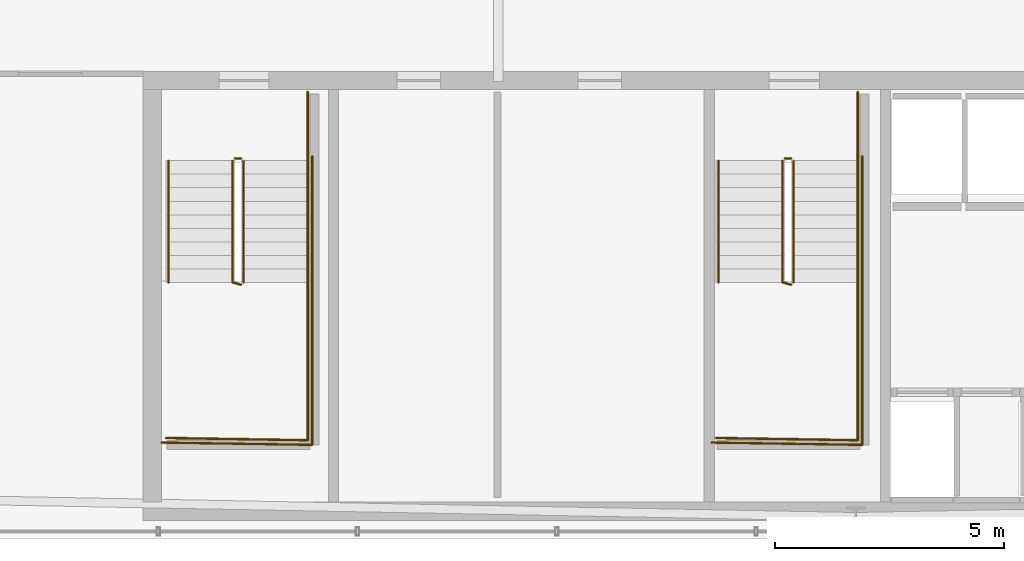
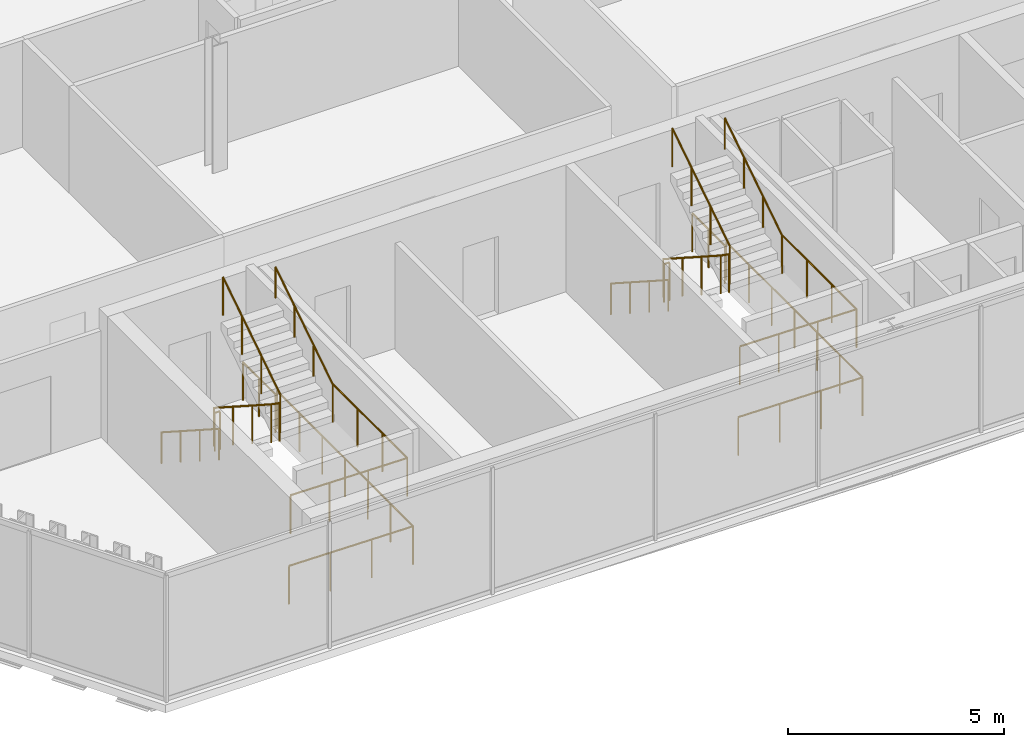
# One storey, part 27 of 29: 16 railings.
"""IFC4 building model written with IfcOpenShell, lengths in metres."""

from ifc_helpers import new_model, si_unit, direction, frame, origin, origin_2d, place, context, subcontext, project, spatial, circle, extrude, material, layer, layer_set, type_object, element, save


model = new_model("IFC4")

# Units and contexts
model_context = context("Model", 3, precision=1e-05, world=origin(), true_north=direction((0.0, 1.0)))
body_context = subcontext(model_context, "Body", "Model", "MODEL_VIEW")
ifc_project = project(units=[si_unit("LENGTHUNIT", "METRE"), si_unit("AREAUNIT", "SQUARE_METRE"), si_unit("VOLUMEUNIT", "CUBIC_METRE"), si_unit("PLANEANGLEUNIT", "RADIAN"), si_unit("MASSUNIT", "GRAM", prefix="KILO")], contexts=[model_context])

# Site, building, storey
site_placement = place(None, origin())
site = spatial("IfcSite", under=ifc_project, at=site_placement, CompositionType="ELEMENT")
building_placement = place(site_placement, origin())
building = spatial("IfcBuilding", under=site, at=building_placement, Name="Ndaravel Arena Tower", CompositionType="ELEMENT")
storey_placement = place(building_placement, frame((0.0, 0.0, 229.39990234375)))
storey = spatial("IfcBuildingStorey", under=building, at=storey_placement, Name="L55", CompositionType="ELEMENT", Elevation=229.39990234375)

# Railings
ifc_material_1 = material(Name="Steel S355", Category="steel")
ifc_layer_1 = layer(ifc_material_1, 0.06005859375)
ifc_layer_set_1 = layer_set([ifc_layer_1], Name="Steel S355")
railing_type_1 = type_object("IfcRailingType", Name="RAIL-STAIR-GD1100", PredefinedType="GUARDRAIL", material=ifc_layer_set_1)
railing_1_placement = place(storey_placement, frame((28.39990234375, 13.25, 0.190185546875)))
element("IfcRailing", 1, at=railing_1_placement, inside=storey, type_object=railing_type_1, Name="L55 ST-1 stair guard 1", PredefinedType="GUARDRAIL", context=body_context, shape_type="SweptSolid", body=[
    extrude(circle(Radius=0.02392578125, at=origin_2d()), frame((0.0, 0.0, 1.076171875), z_axis=(0.0, -0.840723540582, 0.54146461409), x_axis=(1.0, 0.0, 0.0)), (0.0, 0.0, 1.0), 3.157958984375),
    extrude(circle(Radius=0.02392578125, at=origin_2d()), frame((0.0, -2.655029296875, 2.7861328125), z_axis=(0.967074537263, -0.25449329928, 0.0), x_axis=(0.25449329928, 0.967074537263, 0.0)), (0.0, 0.0, 1.0), 0.19677734375),
    extrude(circle(Radius=0.02099609375, at=origin_2d()), origin(), (0.0, 0.0, 1.0), 1.052001953125),
    extrude(circle(Radius=0.02099609375, at=origin_2d()), frame((0.0, -0.885009765625, 0.570068359375)), (0.0, 0.0, 1.0), 1.052001953125),
    extrude(circle(Radius=0.02099609375, at=origin_2d()), frame((0.0, -1.77001953125, 1.139892578125)), (0.0, 0.0, 1.0), 1.052001953125),
    extrude(circle(Radius=0.02099609375, at=origin_2d()), frame((0.0, -2.655029296875, 1.7099609375)), (0.0, 0.0, 1.0), 1.052001953125),
    extrude(circle(Radius=0.02099609375, at=origin_2d()), frame((0.190185546875, -2.705078125, 1.7099609375)), (0.0, 0.0, 1.0), 1.052001953125),
])
railing_2_placement = place(storey_placement, frame((30.0400390625, 10.594970703125, 1.900146484375)))
element("IfcRailing", 2, at=railing_2_placement, inside=storey, type_object=railing_type_1, Name="L55 ST-1 stair guard 2", PredefinedType="GUARDRAIL", context=body_context, shape_type="SweptSolid", body=[
    extrude(circle(Radius=0.02392578125, at=origin_2d()), frame((0.0, 0.0, 1.076171875), z_axis=(0.0, -1.0, 0.0), x_axis=(1.0, 0.0, 0.0)), (0.0, 0.0, 1.0), 3.445068359375),
    extrude(circle(Radius=0.02392578125, at=origin_2d()), frame((0.0, -3.445068359375, 1.076171875), z_axis=(-0.999868861343, 0.016194447071, 0.0), x_axis=(-0.016194447071, -0.999868861343, 0.0)), (0.0, 0.0, 1.0), 3.090576171875),
    extrude(circle(Radius=0.02099609375, at=origin_2d()), origin(), (0.0, 0.0, 1.0), 1.052001953125),
    extrude(circle(Radius=0.02099609375, at=origin_2d()), frame((0.0, -1.1484375, 0.0)), (0.0, 0.0, 1.0), 1.052001953125),
    extrude(circle(Radius=0.02099609375, at=origin_2d()), frame((0.0, -2.296630859375, 0.0)), (0.0, 0.0, 1.0), 1.052001953125),
    extrude(circle(Radius=0.02099609375, at=origin_2d()), frame((0.0, -3.445068359375, 0.0)), (0.0, 0.0, 1.0), 1.052001953125),
    extrude(circle(Radius=0.02099609375, at=origin_2d()), frame((-1.030029296875, -3.428466796875, 0.0)), (0.0, 0.0, 1.0), 1.052001953125),
    extrude(circle(Radius=0.02099609375, at=origin_2d()), frame((-2.06005859375, -3.41162109375, 0.0)), (0.0, 0.0, 1.0), 1.052001953125),
    extrude(circle(Radius=0.02099609375, at=origin_2d()), frame((-3.090087890625, -3.39501953125, 0.0)), (0.0, 0.0, 1.0), 1.052001953125),
])
railing_3_placement = place(storey_placement, frame((28.639892578125, 10.594970703125, 2.090087890625)))
element("IfcRailing", 3, at=railing_3_placement, inside=storey, type_object=railing_type_1, Name="L55 ST-1 stair guard 3", PredefinedType="GUARDRAIL", context=body_context, shape_type="SweptSolid", body=[
    extrude(circle(Radius=0.02392578125, at=origin_2d()), frame((0.0, 0.0, 1.076171875), z_axis=(0.0, 0.840723540582, 0.54146461409), x_axis=(-1.0, 0.0, 0.0)), (0.0, 0.0, 1.0), 3.157958984375),
    extrude(circle(Radius=0.02099609375, at=origin_2d()), origin(), (0.0, 0.0, 1.0), 1.052001953125),
    extrude(circle(Radius=0.02099609375, at=origin_2d()), frame((0.0, 0.885009765625, 0.570068359375)), (0.0, 0.0, 1.0), 1.052001953125),
    extrude(circle(Radius=0.02099609375, at=origin_2d()), frame((0.0, 1.77001953125, 1.139892578125)), (0.0, 0.0, 1.0), 1.052001953125),
    extrude(circle(Radius=0.02099609375, at=origin_2d()), frame((0.0, 2.655029296875, 1.7099609375)), (0.0, 0.0, 1.0), 1.052001953125),
])
railing_4_placement = place(storey_placement, frame((28.449951171875, 13.300048828125, 0.0)))
element("IfcRailing", 4, at=railing_4_placement, inside=storey, type_object=railing_type_1, Name="L55 ST-1 stair guard 4", PredefinedType="GUARDRAIL", context=body_context, shape_type="SweptSolid", body=[
    extrude(circle(Radius=0.02392578125, at=origin_2d()), frame((0.0, 0.0, 1.076171875), z_axis=(1.0, 0.0, 0.0), x_axis=(0.0, 1.0, 0.0)), (0.0, 0.0, 1.0), 0.14013671875),
    extrude(circle(Radius=0.02099609375, at=origin_2d()), origin(), (0.0, 0.0, 1.0), 1.052001953125),
    extrude(circle(Radius=0.02099609375, at=origin_2d()), frame((0.14013671875, 0.0, 0.0)), (0.0, 0.0, 1.0), 1.052001953125),
])
railing_5_placement = place(storey_placement, frame((30.0400390625, 14.75, 0.0)))
element("IfcRailing", 5, at=railing_5_placement, inside=storey, type_object=railing_type_1, Name="L55 ST-1 stair guard 5", PredefinedType="GUARDRAIL", context=body_context, shape_type="SweptSolid", body=[
    extrude(circle(Radius=0.02392578125, at=origin_2d()), frame((0.0, 0.0, 1.076171875), z_axis=(0.0, -1.0, 0.0), x_axis=(1.0, 0.0, 0.0)), (0.0, 0.0, 1.0), 1.5),
    extrude(circle(Radius=0.02099609375, at=origin_2d()), origin(), (0.0, 0.0, 1.0), 1.052001953125),
    extrude(circle(Radius=0.02099609375, at=origin_2d()), frame((0.0, -0.75, 0.0)), (0.0, 0.0, 1.0), 1.052001953125),
    extrude(circle(Radius=0.02099609375, at=origin_2d()), frame((0.0, -1.5, 0.0)), (0.0, 0.0, 1.0), 1.052001953125),
])
railing_6_placement = place(storey_placement, frame((30.139892578125, 13.35009765625, 0.0)))
element("IfcRailing", 6, at=railing_6_placement, inside=storey, type_object=railing_type_1, Name="L55 ST-1 stair guard 6", PredefinedType="GUARDRAIL", context=body_context, shape_type="SweptSolid", body=[
    extrude(circle(Radius=0.02392578125, at=origin_2d()), frame((0.0, 0.0, 1.076171875), z_axis=(0.0, -1.0, 0.0), x_axis=(1.0, 0.0, 0.0)), (0.0, 0.0, 1.0), 6.300048828125),
    extrude(circle(Radius=0.02392578125, at=origin_2d()), frame((0.0, -6.300048828125, 1.076171875), z_axis=(-0.999884296952, 0.015211597839, 0.0), x_axis=(-0.015211597839, -0.999884296952, 0.0)), (0.0, 0.0, 1.0), 3.290283203125),
    extrude(circle(Radius=0.02099609375, at=origin_2d()), origin(), (0.0, 0.0, 1.0), 1.052001953125),
    extrude(circle(Radius=0.02099609375, at=origin_2d()), frame((0.0, -1.050048828125, 0.0)), (0.0, 0.0, 1.0), 1.052001953125),
    extrude(circle(Radius=0.02099609375, at=origin_2d()), frame((0.0, -2.10009765625, 0.0)), (0.0, 0.0, 1.0), 1.052001953125),
    extrude(circle(Radius=0.02099609375, at=origin_2d()), frame((0.0, -3.14990234375, 0.0)), (0.0, 0.0, 1.0), 1.052001953125),
    extrude(circle(Radius=0.02099609375, at=origin_2d()), frame((0.0, -4.199951171875, 0.0)), (0.0, 0.0, 1.0), 1.052001953125),
    extrude(circle(Radius=0.02099609375, at=origin_2d()), frame((0.0, -5.25, 0.0)), (0.0, 0.0, 1.0), 1.052001953125),
    extrude(circle(Radius=0.02099609375, at=origin_2d()), frame((0.0, -6.300048828125, 0.0)), (0.0, 0.0, 1.0), 1.052001953125),
    extrude(circle(Radius=0.02099609375, at=origin_2d()), frame((-1.0966796875, -6.283447265625, 0.0)), (0.0, 0.0, 1.0), 1.052001953125),
    extrude(circle(Radius=0.02099609375, at=origin_2d()), frame((-2.193115234375, -6.2666015625, 0.0)), (0.0, 0.0, 1.0), 1.052001953125),
    extrude(circle(Radius=0.02099609375, at=origin_2d()), frame((-3.289794921875, -6.25, 0.0)), (0.0, 0.0, 1.0), 1.052001953125),
])
railing_7_placement = place(storey_placement, frame((40.39990234375, 13.25, 0.190185546875)))
element("IfcRailing", 7, at=railing_7_placement, inside=storey, type_object=railing_type_1, Name="L55 ST-2 stair guard 1", PredefinedType="GUARDRAIL", context=body_context, shape_type="SweptSolid", body=[
    extrude(circle(Radius=0.02392578125, at=origin_2d()), frame((0.0, 0.0, 1.076171875), z_axis=(0.0, -0.840723540582, 0.54146461409), x_axis=(1.0, 0.0, 0.0)), (0.0, 0.0, 1.0), 3.157958984375),
    extrude(circle(Radius=0.02392578125, at=origin_2d()), frame((0.0, -2.655029296875, 2.7861328125), z_axis=(0.967074537263, -0.25449329928, 0.0), x_axis=(0.25449329928, 0.967074537263, 0.0)), (0.0, 0.0, 1.0), 0.19677734375),
    extrude(circle(Radius=0.02099609375, at=origin_2d()), origin(), (0.0, 0.0, 1.0), 1.052001953125),
    extrude(circle(Radius=0.02099609375, at=origin_2d()), frame((0.0, -0.885009765625, 0.570068359375)), (0.0, 0.0, 1.0), 1.052001953125),
    extrude(circle(Radius=0.02099609375, at=origin_2d()), frame((0.0, -1.77001953125, 1.139892578125)), (0.0, 0.0, 1.0), 1.052001953125),
    extrude(circle(Radius=0.02099609375, at=origin_2d()), frame((0.0, -2.655029296875, 1.7099609375)), (0.0, 0.0, 1.0), 1.052001953125),
    extrude(circle(Radius=0.02099609375, at=origin_2d()), frame((0.190185546875, -2.705078125, 1.7099609375)), (0.0, 0.0, 1.0), 1.052001953125),
])
railing_8_placement = place(storey_placement, frame((42.0400390625, 10.594970703125, 1.900146484375)))
element("IfcRailing", 8, at=railing_8_placement, inside=storey, type_object=railing_type_1, Name="L55 ST-2 stair guard 2", PredefinedType="GUARDRAIL", context=body_context, shape_type="SweptSolid", body=[
    extrude(circle(Radius=0.02392578125, at=origin_2d()), frame((0.0, 0.0, 1.076171875), z_axis=(0.0, -1.0, 0.0), x_axis=(1.0, 0.0, 0.0)), (0.0, 0.0, 1.0), 3.445068359375),
    extrude(circle(Radius=0.02392578125, at=origin_2d()), frame((0.0, -3.445068359375, 1.076171875), z_axis=(-0.999868861343, 0.016194447071, 0.0), x_axis=(-0.016194447071, -0.999868861343, 0.0)), (0.0, 0.0, 1.0), 3.090576171875),
    extrude(circle(Radius=0.02099609375, at=origin_2d()), origin(), (0.0, 0.0, 1.0), 1.052001953125),
    extrude(circle(Radius=0.02099609375, at=origin_2d()), frame((0.0, -1.1484375, 0.0)), (0.0, 0.0, 1.0), 1.052001953125),
    extrude(circle(Radius=0.02099609375, at=origin_2d()), frame((0.0, -2.296630859375, 0.0)), (0.0, 0.0, 1.0), 1.052001953125),
    extrude(circle(Radius=0.02099609375, at=origin_2d()), frame((0.0, -3.445068359375, 0.0)), (0.0, 0.0, 1.0), 1.052001953125),
    extrude(circle(Radius=0.02099609375, at=origin_2d()), frame((-1.030029296875, -3.428466796875, 0.0)), (0.0, 0.0, 1.0), 1.052001953125),
    extrude(circle(Radius=0.02099609375, at=origin_2d()), frame((-2.06005859375, -3.41162109375, 0.0)), (0.0, 0.0, 1.0), 1.052001953125),
    extrude(circle(Radius=0.02099609375, at=origin_2d()), frame((-3.090087890625, -3.39501953125, 0.0)), (0.0, 0.0, 1.0), 1.052001953125),
])
railing_9_placement = place(storey_placement, frame((40.639892578125, 10.594970703125, 2.090087890625)))
element("IfcRailing", 9, at=railing_9_placement, inside=storey, type_object=railing_type_1, Name="L55 ST-2 stair guard 3", PredefinedType="GUARDRAIL", context=body_context, shape_type="SweptSolid", body=[
    extrude(circle(Radius=0.02392578125, at=origin_2d()), frame((0.0, 0.0, 1.076171875), z_axis=(0.0, 0.840723540582, 0.54146461409), x_axis=(-1.0, 0.0, 0.0)), (0.0, 0.0, 1.0), 3.157958984375),
    extrude(circle(Radius=0.02099609375, at=origin_2d()), origin(), (0.0, 0.0, 1.0), 1.052001953125),
    extrude(circle(Radius=0.02099609375, at=origin_2d()), frame((0.0, 0.885009765625, 0.570068359375)), (0.0, 0.0, 1.0), 1.052001953125),
    extrude(circle(Radius=0.02099609375, at=origin_2d()), frame((0.0, 1.77001953125, 1.139892578125)), (0.0, 0.0, 1.0), 1.052001953125),
    extrude(circle(Radius=0.02099609375, at=origin_2d()), frame((0.0, 2.655029296875, 1.7099609375)), (0.0, 0.0, 1.0), 1.052001953125),
])
railing_10_placement = place(storey_placement, frame((40.449951171875, 13.300048828125, 0.0)))
element("IfcRailing", 10, at=railing_10_placement, inside=storey, type_object=railing_type_1, Name="L55 ST-2 stair guard 4", PredefinedType="GUARDRAIL", context=body_context, shape_type="SweptSolid", body=[
    extrude(circle(Radius=0.02392578125, at=origin_2d()), frame((0.0, 0.0, 1.076171875), z_axis=(1.0, 0.0, 0.0), x_axis=(0.0, 1.0, 0.0)), (0.0, 0.0, 1.0), 0.14013671875),
    extrude(circle(Radius=0.02099609375, at=origin_2d()), origin(), (0.0, 0.0, 1.0), 1.052001953125),
    extrude(circle(Radius=0.02099609375, at=origin_2d()), frame((0.14013671875, 0.0, 0.0)), (0.0, 0.0, 1.0), 1.052001953125),
])
railing_11_placement = place(storey_placement, frame((42.0400390625, 14.75, 0.0)))
element("IfcRailing", 11, at=railing_11_placement, inside=storey, type_object=railing_type_1, Name="L55 ST-2 stair guard 5", PredefinedType="GUARDRAIL", context=body_context, shape_type="SweptSolid", body=[
    extrude(circle(Radius=0.02392578125, at=origin_2d()), frame((0.0, 0.0, 1.076171875), z_axis=(0.0, -1.0, 0.0), x_axis=(1.0, 0.0, 0.0)), (0.0, 0.0, 1.0), 1.5),
    extrude(circle(Radius=0.02099609375, at=origin_2d()), origin(), (0.0, 0.0, 1.0), 1.052001953125),
    extrude(circle(Radius=0.02099609375, at=origin_2d()), frame((0.0, -0.75, 0.0)), (0.0, 0.0, 1.0), 1.052001953125),
    extrude(circle(Radius=0.02099609375, at=origin_2d()), frame((0.0, -1.5, 0.0)), (0.0, 0.0, 1.0), 1.052001953125),
])
railing_12_placement = place(storey_placement, frame((42.139892578125, 13.35009765625, 0.0)))
element("IfcRailing", 12, at=railing_12_placement, inside=storey, type_object=railing_type_1, Name="L55 ST-2 stair guard 6", PredefinedType="GUARDRAIL", context=body_context, shape_type="SweptSolid", body=[
    extrude(circle(Radius=0.02392578125, at=origin_2d()), frame((0.0, 0.0, 1.076171875), z_axis=(0.0, -1.0, 0.0), x_axis=(1.0, 0.0, 0.0)), (0.0, 0.0, 1.0), 6.300048828125),
    extrude(circle(Radius=0.02392578125, at=origin_2d()), frame((0.0, -6.300048828125, 1.076171875), z_axis=(-0.999884296952, 0.015211597839, 0.0), x_axis=(-0.015211597839, -0.999884296952, 0.0)), (0.0, 0.0, 1.0), 3.290283203125),
    extrude(circle(Radius=0.02099609375, at=origin_2d()), origin(), (0.0, 0.0, 1.0), 1.052001953125),
    extrude(circle(Radius=0.02099609375, at=origin_2d()), frame((0.0, -1.050048828125, 0.0)), (0.0, 0.0, 1.0), 1.052001953125),
    extrude(circle(Radius=0.02099609375, at=origin_2d()), frame((0.0, -2.10009765625, 0.0)), (0.0, 0.0, 1.0), 1.052001953125),
    extrude(circle(Radius=0.02099609375, at=origin_2d()), frame((0.0, -3.14990234375, 0.0)), (0.0, 0.0, 1.0), 1.052001953125),
    extrude(circle(Radius=0.02099609375, at=origin_2d()), frame((0.0, -4.199951171875, 0.0)), (0.0, 0.0, 1.0), 1.052001953125),
    extrude(circle(Radius=0.02099609375, at=origin_2d()), frame((0.0, -5.25, 0.0)), (0.0, 0.0, 1.0), 1.052001953125),
    extrude(circle(Radius=0.02099609375, at=origin_2d()), frame((0.0, -6.300048828125, 0.0)), (0.0, 0.0, 1.0), 1.052001953125),
    extrude(circle(Radius=0.02099609375, at=origin_2d()), frame((-1.0966796875, -6.283447265625, 0.0)), (0.0, 0.0, 1.0), 1.052001953125),
    extrude(circle(Radius=0.02099609375, at=origin_2d()), frame((-2.193115234375, -6.2666015625, 0.0)), (0.0, 0.0, 1.0), 1.052001953125),
    extrude(circle(Radius=0.02099609375, at=origin_2d()), frame((-3.289794921875, -6.25, 0.0)), (0.0, 0.0, 1.0), 1.052001953125),
])
ifc_material_2 = material(Name="Steel S355", Category="steel")
ifc_layer_2 = layer(ifc_material_2, 0.050048828125)
ifc_layer_set_2 = layer_set([ifc_layer_2], Name="Steel S355")
railing_type_2 = type_object("IfcRailingType", Name="RAIL-STAIR-HR920", PredefinedType="HANDRAIL", material=ifc_layer_set_2)
railing_13_placement = place(storey_placement, frame((27.0, 13.25, 0.190185546875)))
element("IfcRailing", 13, at=railing_13_placement, inside=storey, type_object=railing_type_2, Name="L55 ST-1 stair handrail 1", PredefinedType="HANDRAIL", context=body_context, shape_type="SweptSolid", body=[
    extrude(circle(Radius=0.02392578125, at=origin_2d()), frame((0.0, 0.0, 0.8759765625), z_axis=(0.0, -0.840723540582, 0.54146461409), x_axis=(1.0, 0.0, 0.0)), (0.0, 0.0, 1.0), 3.157958984375),
    extrude(circle(Radius=0.02099609375, at=origin_2d()), origin(), (0.0, 0.0, 1.0), 0.851806640625),
    extrude(circle(Radius=0.02099609375, at=origin_2d()), frame((0.0, -0.885009765625, 0.570068359375)), (0.0, 0.0, 1.0), 0.851806640625),
    extrude(circle(Radius=0.02099609375, at=origin_2d()), frame((0.0, -1.77001953125, 1.139892578125)), (0.0, 0.0, 1.0), 0.851806640625),
    extrude(circle(Radius=0.02099609375, at=origin_2d()), frame((0.0, -2.655029296875, 1.7099609375)), (0.0, 0.0, 1.0), 0.851806640625),
])
railing_14_placement = place(storey_placement, frame((30.0400390625, 10.594970703125, 2.090087890625)))
element("IfcRailing", 14, at=railing_14_placement, inside=storey, type_object=railing_type_2, Name="L55 ST-1 stair handrail 2", PredefinedType="HANDRAIL", context=body_context, shape_type="SweptSolid", body=[
    extrude(circle(Radius=0.02392578125, at=origin_2d()), frame((0.0, 0.0, 0.8759765625), z_axis=(0.0, 0.840723540582, 0.54146461409), x_axis=(-1.0, 0.0, 0.0)), (0.0, 0.0, 1.0), 3.157958984375),
    extrude(circle(Radius=0.02099609375, at=origin_2d()), origin(), (0.0, 0.0, 1.0), 0.851806640625),
    extrude(circle(Radius=0.02099609375, at=origin_2d()), frame((0.0, 0.885009765625, 0.570068359375)), (0.0, 0.0, 1.0), 0.851806640625),
    extrude(circle(Radius=0.02099609375, at=origin_2d()), frame((0.0, 1.77001953125, 1.139892578125)), (0.0, 0.0, 1.0), 0.851806640625),
    extrude(circle(Radius=0.02099609375, at=origin_2d()), frame((0.0, 2.655029296875, 1.7099609375)), (0.0, 0.0, 1.0), 0.851806640625),
])
railing_15_placement = place(storey_placement, frame((39.0, 13.25, 0.190185546875)))
element("IfcRailing", 15, at=railing_15_placement, inside=storey, type_object=railing_type_2, Name="L55 ST-2 stair handrail 1", PredefinedType="HANDRAIL", context=body_context, shape_type="SweptSolid", body=[
    extrude(circle(Radius=0.02392578125, at=origin_2d()), frame((0.0, 0.0, 0.8759765625), z_axis=(0.0, -0.840723540582, 0.54146461409), x_axis=(1.0, 0.0, 0.0)), (0.0, 0.0, 1.0), 3.157958984375),
    extrude(circle(Radius=0.02099609375, at=origin_2d()), origin(), (0.0, 0.0, 1.0), 0.851806640625),
    extrude(circle(Radius=0.02099609375, at=origin_2d()), frame((0.0, -0.885009765625, 0.570068359375)), (0.0, 0.0, 1.0), 0.851806640625),
    extrude(circle(Radius=0.02099609375, at=origin_2d()), frame((0.0, -1.77001953125, 1.139892578125)), (0.0, 0.0, 1.0), 0.851806640625),
    extrude(circle(Radius=0.02099609375, at=origin_2d()), frame((0.0, -2.655029296875, 1.7099609375)), (0.0, 0.0, 1.0), 0.851806640625),
])
railing_16_placement = place(storey_placement, frame((42.0400390625, 10.594970703125, 2.090087890625)))
element("IfcRailing", 16, at=railing_16_placement, inside=storey, type_object=railing_type_2, Name="L55 ST-2 stair handrail 2", PredefinedType="HANDRAIL", context=body_context, shape_type="SweptSolid", body=[
    extrude(circle(Radius=0.02392578125, at=origin_2d()), frame((0.0, 0.0, 0.8759765625), z_axis=(0.0, 0.840723540582, 0.54146461409), x_axis=(-1.0, 0.0, 0.0)), (0.0, 0.0, 1.0), 3.157958984375),
    extrude(circle(Radius=0.02099609375, at=origin_2d()), origin(), (0.0, 0.0, 1.0), 0.851806640625),
    extrude(circle(Radius=0.02099609375, at=origin_2d()), frame((0.0, 0.885009765625, 0.570068359375)), (0.0, 0.0, 1.0), 0.851806640625),
    extrude(circle(Radius=0.02099609375, at=origin_2d()), frame((0.0, 1.77001953125, 1.139892578125)), (0.0, 0.0, 1.0), 0.851806640625),
    extrude(circle(Radius=0.02099609375, at=origin_2d()), frame((0.0, 2.655029296875, 1.7099609375)), (0.0, 0.0, 1.0), 0.851806640625),
])

save(model, "model.ifc")
